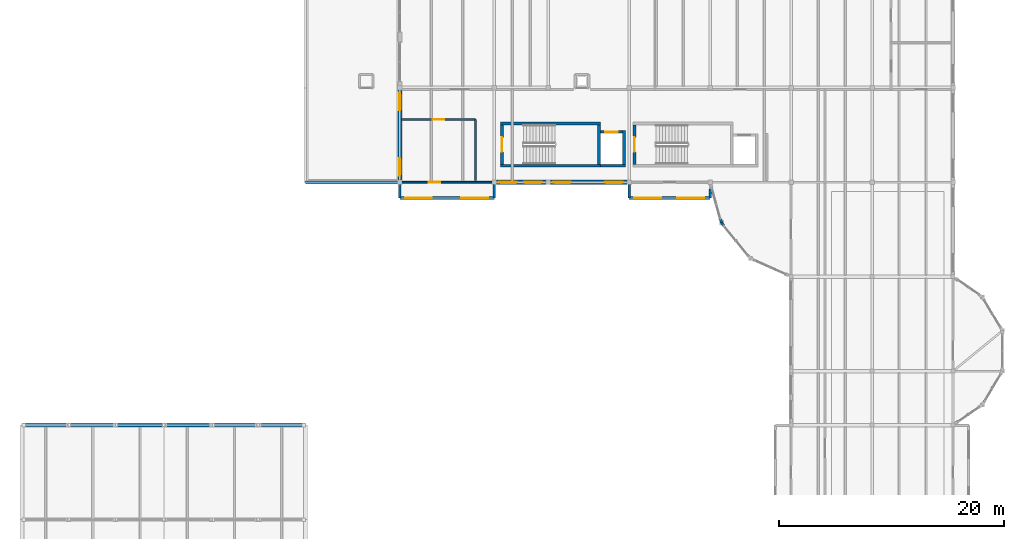
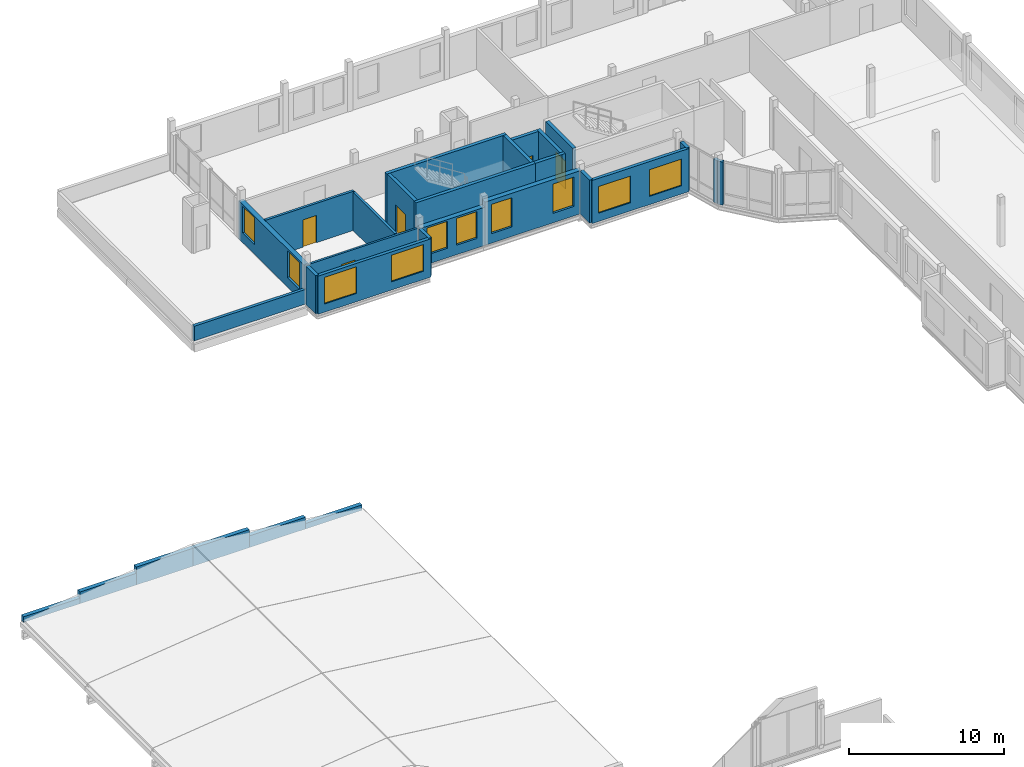
# One storey, part 27 of 34: 29 walls, 10 windows, 5 doors, 15 openings.
"""IFC4 building model written with IfcOpenShell, lengths in metres."""

from ifc_helpers import new_model, si_unit, direction, frame, frame_2d, origin, place, context, subcontext, project, spatial, rectangle, extrude, material, layer, layer_set, type_object, element, fill, save


model = new_model("IFC4")

# Units and contexts
model_context = context("Model", 3, precision=1e-05, world=origin(), true_north=direction((0.0, 1.0)))
body_context = subcontext(model_context, "Body", "Model", "MODEL_VIEW")
ifc_project = project(units=[si_unit("LENGTHUNIT", "METRE"), si_unit("AREAUNIT", "SQUARE_METRE"), si_unit("VOLUMEUNIT", "CUBIC_METRE"), si_unit("PLANEANGLEUNIT", "RADIAN"), si_unit("MASSUNIT", "GRAM", prefix="KILO")], contexts=[model_context])

# Site, building, storey
site_placement = place(None, origin())
site = spatial("IfcSite", under=ifc_project, at=site_placement, CompositionType="ELEMENT")
building_placement = place(site_placement, origin())
building = spatial("IfcBuilding", under=site, at=building_placement, Name="Kahlenmark Community Centre", CompositionType="ELEMENT")
storey_placement = place(building_placement, frame((0.0, 0.0, 17.699951171875)))
storey = spatial("IfcBuildingStorey", under=building, at=storey_placement, Name="L04", CompositionType="ELEMENT", Elevation=17.699951171875)

# Wall, opening, door
ifc_material_1 = material(Name="Concrete C35/45", Category="concrete")
ifc_layer_1 = layer(ifc_material_1, 0.25)
ifc_layer_set_1 = layer_set([ifc_layer_1], Name="Concrete C35/45")
wall_type_1 = type_object("IfcWallType", Name="WT-CORE-250", PredefinedType="SHEAR", material=ifc_layer_set_1)
wall_1_placement = place(storey_placement, frame((46.675048828125, 102.699951171875, 0.0), z_axis=(0.0, 0.0, 1.0), x_axis=(0.0, -1.0, 0.0)))
wall_1 = element("IfcWall", 1, at=wall_1_placement, inside=storey, type_object=wall_type_1, Name="Core K4 shear wall WL-CORE-K4-L04-0134", PredefinedType="SHEAR", context=body_context, shape_type="SweptSolid", body=[
    extrude(rectangle(XDim=3.5, YDim=0.25, at=frame_2d((1.75, 0.0))), origin(), (0.0, 0.0, 1.0), 3.900146484375),
])
opening_1_placement = place(wall_1_placement, frame((1.10009765625, 0.0, -0.010009765625)))
opening_1 = element("IfcOpeningElement", 2, at=opening_1_placement, cuts=wall_1, Name="Opening FD-K4-L04", PredefinedType="OPENING", context=body_context, shape_type="SweptSolid", body=[
    extrude(rectangle(XDim=1.300048828125, YDim=2.159912109375, at=frame_2d((0.64990234375, 1.080078125))), frame((0.0, 0.135009765625, 0.0), z_axis=(0.0, -1.0, 0.0), x_axis=(1.0, 0.0, 0.0)), (0.0, 0.0, 1.0), 0.27001953125),
])
ifc_material_2 = material(Name="Fire-rated steel-framed timber door FD60S", Category="steel")
door_type_1 = type_object("IfcDoorType", Name="DT-FD-K4-L04", OperationType="NOTDEFINED", PredefinedType="DOOR", material=ifc_material_2)
door_1_placement = place(opening_1_placement, frame((1.300048828125, 0.0, 0.010009765625), z_axis=(0.0, 0.0, 1.0), x_axis=(-1.0, 0.0, 0.0)))
door_1 = element("IfcDoor", 3, at=door_1_placement, inside=storey, type_object=door_type_1, Name="Core K4 stair fire door L04", OperationType="SINGLE_SWING_LEFT", OverallHeight=2.14990234375, OverallWidth=1.300048828125, PredefinedType="DOOR", context=body_context, shape_type="SweptSolid", body=[
    extrude(rectangle(XDim=1.300048828125, YDim=2.14990234375, at=frame_2d((0.64990234375, 1.074951171875))), frame((0.0, 0.02490234375, 0.0), z_axis=(0.0, -1.0, 0.0), x_axis=(1.0, 0.0, 0.0)), (0.0, 0.0, 1.0), 0.050048828125),
])
fill(opening_1, door_1)

# Walls
for number, where, z_axis, x_axis, name in (
    (4, (46.550048828125, 99.074951171875, 0.0), (0.0, 0.0, 1.0), (1.0, 0.0, 0.0), "Core K4 shear wall WL-CORE-K4-L04-0135"),
    (5, (46.550048828125, 102.824951171875, 0.0), (0.0, 0.0, 1.0), (1.0, 0.0, 0.0), "Core K4 shear wall WL-CORE-K4-L04-0136"),
):
    element("IfcWall", number, at=place(storey_placement, frame(where, z_axis=z_axis, x_axis=x_axis)), inside=storey, type_object=wall_type_1, Name=name, PredefinedType="SHEAR", context=body_context, shape_type="SweptSolid", body=[
        extrude(rectangle(XDim=8.89990234375, YDim=0.25, at=frame_2d((4.449951171875, 0.0))), origin(), (0.0, 0.0, 1.0), 3.900146484375),
    ])
wall_2_placement = place(storey_placement, frame((55.324951171875, 99.199951171875, 0.0), z_axis=(0.0, 0.0, 1.0), x_axis=(0.0, 1.0, 0.0)))
element("IfcWall", 6, at=wall_2_placement, inside=storey, type_object=wall_type_1, Name="Core K4 shear wall WL-CORE-K4-L04-0137", PredefinedType="SHEAR", context=body_context, shape_type="SweptSolid", body=[
    extrude(rectangle(XDim=3.5, YDim=0.25, at=frame_2d((1.75, 0.0))), origin(), (0.0, 0.0, 1.0), 3.900146484375),
])
wall_3_placement = place(storey_placement, frame((55.449951171875, 99.074951171875, 0.0), z_axis=(0.0, 0.0, 1.0), x_axis=(1.0, 0.0, 0.0)))
element("IfcWall", 7, at=wall_3_placement, inside=storey, type_object=wall_type_1, Name="Core K4 shear wall WL-CORE-K4-L04-0138", PredefinedType="SHEAR", context=body_context, shape_type="SweptSolid", body=[
    extrude(rectangle(XDim=2.2099609375, YDim=0.25, at=frame_2d((1.10498046875, 0.0))), origin(), (0.0, 0.0, 1.0), 3.900146484375),
])
wall_4_placement = place(storey_placement, frame((57.534912109375, 98.949951171875, 0.0), z_axis=(0.0, 0.0, 1.0), x_axis=(0.0, 1.0, 0.0)))
element("IfcWall", 8, at=wall_4_placement, inside=storey, type_object=wall_type_1, Name="Core K4 shear wall WL-CORE-K4-L04-0139", PredefinedType="SHEAR", context=body_context, shape_type="SweptSolid", body=[
    extrude(rectangle(XDim=3.260009765625, YDim=0.25, at=frame_2d((1.6298828125, 0.0))), origin(), (0.0, 0.0, 1.0), 3.900146484375),
])

# Wall, opening, door
wall_5_placement = place(storey_placement, frame((55.449951171875, 102.0849609375, 0.0), z_axis=(0.0, 0.0, 1.0), x_axis=(1.0, 0.0, 0.0)))
wall_5 = element("IfcWall", 9, at=wall_5_placement, inside=storey, type_object=wall_type_1, Name="Core K4 shear wall WL-CORE-K4-L04-0140", PredefinedType="SHEAR", context=body_context, shape_type="SweptSolid", body=[
    extrude(rectangle(XDim=1.9599609375, YDim=0.25, at=frame_2d((0.97998046875, 0.0))), origin(), (0.0, 0.0, 1.0), 3.900146484375),
])
opening_2_placement = place(wall_5_placement, frame((0.429931640625, 0.0, -0.010009765625)))
opening_2 = element("IfcOpeningElement", 10, at=opening_2_placement, cuts=wall_5, Name="Opening LD-4", PredefinedType="OPENING", context=body_context, shape_type="SweptSolid", body=[
    extrude(rectangle(XDim=1.10009765625, YDim=2.159912109375, at=frame_2d((0.550048828125, 1.080078125))), frame((0.0, 0.135009765625, 0.0), z_axis=(0.0, -1.0, 0.0), x_axis=(1.0, 0.0, 0.0)), (0.0, 0.0, 1.0), 0.27001953125),
])
ifc_material_3 = material(Name="Brushed stainless steel sliding lift landing door", Category="steel")
door_type_2 = type_object("IfcDoorType", Name="DT-LD-K4", OperationType="SLIDING_TO_LEFT", PredefinedType="DOOR", material=ifc_material_3)
door_2_placement = place(opening_2_placement, frame((0.0, 0.0, 0.010009765625)))
door_2 = element("IfcDoor", 11, at=door_2_placement, inside=storey, type_object=door_type_2, Name="Lift LF-04 sliding landing door L04", OperationType="SLIDING_TO_LEFT", OverallHeight=2.14990234375, OverallWidth=1.10009765625, PredefinedType="DOOR", context=body_context, shape_type="SweptSolid", body=[
    extrude(rectangle(XDim=1.10009765625, YDim=2.14990234375, at=frame_2d((0.550048828125, 1.074951171875))), frame((0.0, 0.02490234375, 0.0), z_axis=(0.0, -1.0, 0.0), x_axis=(1.0, 0.0, 0.0)), (0.0, 0.0, 1.0), 0.050048828125),
])
fill(opening_2, door_2)

wall_6_placement = place(storey_placement, frame((58.47509765625, 102.699951171875, 0.0), z_axis=(0.0, 0.0, 1.0), x_axis=(0.0, -1.0, 0.0)))
wall_6 = element("IfcWall", 12, at=wall_6_placement, inside=storey, type_object=wall_type_1, Name="Core K5 shear wall WL-CORE-K5-L04-0183", PredefinedType="SHEAR", context=body_context, shape_type="SweptSolid", body=[
    extrude(rectangle(XDim=3.5, YDim=0.25, at=frame_2d((1.75, 0.0))), origin(), (0.0, 0.0, 1.0), 3.900146484375),
])
opening_3_placement = place(wall_6_placement, frame((1.10009765625, 0.0, -0.010009765625)))
opening_3 = element("IfcOpeningElement", 13, at=opening_3_placement, cuts=wall_6, Name="Opening FD-K5-L04", PredefinedType="OPENING", context=body_context, shape_type="SweptSolid", body=[
    extrude(rectangle(XDim=1.300048828125, YDim=2.159912109375, at=frame_2d((0.64990234375, 1.080078125))), frame((0.0, 0.135009765625, 0.0), z_axis=(0.0, -1.0, 0.0), x_axis=(1.0, 0.0, 0.0)), (0.0, 0.0, 1.0), 0.27001953125),
])
door_type_3 = type_object("IfcDoorType", Name="DT-FD-K5-L04", OperationType="NOTDEFINED", PredefinedType="DOOR", material=ifc_material_2)
door_3_placement = place(opening_3_placement, frame((0.0, 0.0, 0.010009765625)))
door_3 = element("IfcDoor", 14, at=door_3_placement, inside=storey, type_object=door_type_3, Name="Core K5 stair fire door L04", OperationType="SINGLE_SWING_RIGHT", OverallHeight=2.14990234375, OverallWidth=1.300048828125, PredefinedType="DOOR", context=body_context, shape_type="SweptSolid", body=[
    extrude(rectangle(XDim=1.300048828125, YDim=2.14990234375, at=frame_2d((0.64990234375, 1.074951171875))), frame((0.0, 0.02490234375, 0.0), z_axis=(0.0, -1.0, 0.0), x_axis=(1.0, 0.0, 0.0)), (0.0, 0.0, 1.0), 0.050048828125),
])
fill(opening_3, door_3)

# Walls
ifc_material_4 = material(Name="Cross-laminated timber CLT C24", Category="wood")
ifc_layer_2 = layer(ifc_material_4, 0.239990234375)
ifc_layer_set_2 = layer_set([ifc_layer_2], Name="Cross-laminated timber CLT C24")
wall_type_2 = type_object("IfcWallType", Name="WT-EW-240", PredefinedType="SOLIDWALL", material=ifc_layer_set_2)
for number, where, z_axis, x_axis, name in (
    (15, (66.10888671875, 94.32763671875, 0.0), (0.0, 0.0, 1.0), (0.267791974516, -0.963476755498, 0.0), "Rotunda pier closure 0793"),
    (16, (66.199951171875, 94.0, 0.0), (0.0, 0.0, 1.0), (0.630457451131, -0.776223809422, 0.0), "Rotunda pier closure 0794"),
):
    element("IfcWall", number, at=place(storey_placement, frame(where, z_axis=z_axis, x_axis=x_axis)), inside=storey, type_object=wall_type_2, Name=name, PredefinedType="SOLIDWALL", context=body_context, shape_type="SweptSolid", body=[
        extrude(rectangle(XDim=0.340087890625, YDim=0.239990234375, at=frame_2d((0.169921875, 0.0))), origin(), (0.0, 0.0, 1.0), 3.39013671875),
    ])
wall_7_placement = place(storey_placement, frame((37.60009765625, 97.449951171875, 0.0), z_axis=(0.0, 0.0, 1.0), x_axis=(0.0, -1.0, 0.0)))
element("IfcWall", 17, at=wall_7_placement, inside=storey, type_object=wall_type_2, Name="Bay oriel wall WL-ORI-L04-0829", PredefinedType="SOLIDWALL", context=body_context, shape_type="SweptSolid", body=[
    extrude(rectangle(XDim=1.25, YDim=0.239990234375, at=frame_2d((0.625, 0.0))), origin(), (0.0, 0.0, 1.0), 3.010009765625),
])

# Wall, openings, windows
wall_8_placement = place(storey_placement, frame((37.60009765625, 96.199951171875, 0.0), z_axis=(0.0, 0.0, 1.0), x_axis=(1.0, 0.0, 0.0)))
wall_8 = element("IfcWall", 18, at=wall_8_placement, inside=storey, type_object=wall_type_2, Name="Bay oriel wall WL-ORI-L04-0830", PredefinedType="SOLIDWALL", context=body_context, shape_type="SweptSolid", body=[
    extrude(rectangle(XDim=8.39990234375, YDim=0.239990234375, at=frame_2d((4.199951171875, 0.0))), origin(), (0.0, 0.0, 1.0), 3.010009765625),
])
opening_4_placement = place(wall_8_placement, frame((0.4599609375, 0.0, 0.64990234375)))
opening_4 = element("IfcOpeningElement", 19, at=opening_4_placement, cuts=wall_8, Name="Opening W-240X210", PredefinedType="OPENING", context=body_context, shape_type="SweptSolid", body=[
    extrude(rectangle(XDim=2.39990234375, YDim=2.10009765625, at=frame_2d((1.199951171875, 1.050048828125))), frame((0.0, 0.1298828125, 0.0), z_axis=(0.0, -1.0, 0.0), x_axis=(1.0, 0.0, 0.0)), (0.0, 0.0, 1.0), 0.260009765625),
])
opening_5_placement = place(wall_8_placement, frame((5.4599609375, 0.0, 0.64990234375)))
opening_5 = element("IfcOpeningElement", 20, at=opening_5_placement, cuts=wall_8, Name="Opening W-240X210", PredefinedType="OPENING", context=body_context, shape_type="SweptSolid", body=[
    extrude(rectangle(XDim=2.39990234375, YDim=2.10009765625, at=frame_2d((1.199951171875, 1.050048828125))), frame((0.0, 0.1298828125, 0.0), z_axis=(0.0, -1.0, 0.0), x_axis=(1.0, 0.0, 0.0)), (0.0, 0.0, 1.0), 0.260009765625),
])
ifc_material_5 = material(Name="Triple low-e insulated glazing in timber-aluminium frame", Category="wood")
window_type_1 = type_object("IfcWindowType", Name="WNT-240X210", PartitioningType="TRIPLE_PANEL_VERTICAL", PredefinedType="WINDOW", material=ifc_material_5)
window_1_placement = place(opening_4_placement, origin())
window_1 = element("IfcWindow", 21, at=window_1_placement, inside=storey, type_object=window_type_1, Name="Window W-240X210 #0517", OverallHeight=2.10009765625, OverallWidth=2.39990234375, PartitioningType="TRIPLE_PANEL_VERTICAL", PredefinedType="WINDOW", context=body_context, shape_type="SweptSolid", body=[
    extrude(rectangle(XDim=2.39990234375, YDim=2.10009765625, at=frame_2d((1.199951171875, 1.050048828125))), frame((0.0, 0.030029296875, 0.0), z_axis=(0.0, -1.0, 0.0), x_axis=(1.0, 0.0, 0.0)), (0.0, 0.0, 1.0), 0.06005859375),
])
fill(opening_4, window_1)
window_2_placement = place(opening_5_placement, origin())
window_2 = element("IfcWindow", 22, at=window_2_placement, inside=storey, type_object=window_type_1, Name="Window W-240X210 #0518", OverallHeight=2.10009765625, OverallWidth=2.39990234375, PartitioningType="TRIPLE_PANEL_VERTICAL", PredefinedType="WINDOW", context=body_context, shape_type="SweptSolid", body=[
    extrude(rectangle(XDim=2.39990234375, YDim=2.10009765625, at=frame_2d((1.199951171875, 1.050048828125))), frame((0.0, 0.030029296875, 0.0), z_axis=(0.0, -1.0, 0.0), x_axis=(1.0, 0.0, 0.0)), (0.0, 0.0, 1.0), 0.06005859375),
])
fill(opening_5, window_2)

# Walls
wall_9_placement = place(storey_placement, frame((46.0, 96.199951171875, 0.0), z_axis=(0.0, 0.0, 1.0), x_axis=(0.0, 1.0, 0.0)))
element("IfcWall", 23, at=wall_9_placement, inside=storey, type_object=wall_type_2, Name="Bay oriel wall WL-ORI-L04-0831", PredefinedType="SOLIDWALL", context=body_context, shape_type="SweptSolid", body=[
    extrude(rectangle(XDim=1.25, YDim=0.239990234375, at=frame_2d((0.625, 0.0))), origin(), (0.0, 0.0, 1.0), 3.010009765625),
])
wall_10_placement = place(storey_placement, frame((58.0, 97.449951171875, 0.0), z_axis=(0.0, 0.0, 1.0), x_axis=(0.0, -1.0, 0.0)))
element("IfcWall", 24, at=wall_10_placement, inside=storey, type_object=wall_type_2, Name="Bay oriel wall WL-ORI-L04-0841", PredefinedType="SOLIDWALL", context=body_context, shape_type="SweptSolid", body=[
    extrude(rectangle(XDim=1.25, YDim=0.239990234375, at=frame_2d((0.625, 0.0))), origin(), (0.0, 0.0, 1.0), 3.39013671875),
])

# Wall, openings, windows
wall_11_placement = place(storey_placement, frame((58.0, 96.199951171875, 0.0), z_axis=(0.0, 0.0, 1.0), x_axis=(1.0, 0.0, 0.0)))
wall_11 = element("IfcWall", 25, at=wall_11_placement, inside=storey, type_object=wall_type_2, Name="Bay oriel wall WL-ORI-L04-0842", PredefinedType="SOLIDWALL", context=body_context, shape_type="SweptSolid", body=[
    extrude(rectangle(XDim=7.199951171875, YDim=0.239990234375, at=frame_2d((3.60009765625, 0.0))), origin(), (0.0, 0.0, 1.0), 3.39013671875),
])
opening_6_placement = place(wall_11_placement, frame((0.4599609375, 0.0, 0.64990234375)))
opening_6 = element("IfcOpeningElement", 26, at=opening_6_placement, cuts=wall_11, Name="Opening W-240X210", PredefinedType="OPENING", context=body_context, shape_type="SweptSolid", body=[
    extrude(rectangle(XDim=2.39990234375, YDim=2.10009765625, at=frame_2d((1.199951171875, 1.050048828125))), frame((0.0, 0.1298828125, 0.0), z_axis=(0.0, -1.0, 0.0), x_axis=(1.0, 0.0, 0.0)), (0.0, 0.0, 1.0), 0.260009765625),
])
opening_7_placement = place(wall_11_placement, frame((4.260009765625, 0.0, 0.64990234375)))
opening_7 = element("IfcOpeningElement", 27, at=opening_7_placement, cuts=wall_11, Name="Opening W-240X210", PredefinedType="OPENING", context=body_context, shape_type="SweptSolid", body=[
    extrude(rectangle(XDim=2.39990234375, YDim=2.10009765625, at=frame_2d((1.199951171875, 1.050048828125))), frame((0.0, 0.1298828125, 0.0), z_axis=(0.0, -1.0, 0.0), x_axis=(1.0, 0.0, 0.0)), (0.0, 0.0, 1.0), 0.260009765625),
])
window_3_placement = place(opening_6_placement, origin())
window_3 = element("IfcWindow", 28, at=window_3_placement, inside=storey, type_object=window_type_1, Name="Window W-240X210 #0525", OverallHeight=2.10009765625, OverallWidth=2.39990234375, PartitioningType="TRIPLE_PANEL_VERTICAL", PredefinedType="WINDOW", context=body_context, shape_type="SweptSolid", body=[
    extrude(rectangle(XDim=2.39990234375, YDim=2.10009765625, at=frame_2d((1.199951171875, 1.050048828125))), frame((0.0, 0.030029296875, 0.0), z_axis=(0.0, -1.0, 0.0), x_axis=(1.0, 0.0, 0.0)), (0.0, 0.0, 1.0), 0.06005859375),
])
fill(opening_6, window_3)
window_4_placement = place(opening_7_placement, origin())
window_4 = element("IfcWindow", 29, at=window_4_placement, inside=storey, type_object=window_type_1, Name="Window W-240X210 #0526", OverallHeight=2.10009765625, OverallWidth=2.39990234375, PartitioningType="TRIPLE_PANEL_VERTICAL", PredefinedType="WINDOW", context=body_context, shape_type="SweptSolid", body=[
    extrude(rectangle(XDim=2.39990234375, YDim=2.10009765625, at=frame_2d((1.199951171875, 1.050048828125))), frame((0.0, 0.030029296875, 0.0), z_axis=(0.0, -1.0, 0.0), x_axis=(1.0, 0.0, 0.0)), (0.0, 0.0, 1.0), 0.06005859375),
])
fill(opening_7, window_4)

# Walls
wall_12_placement = place(storey_placement, frame((65.199951171875, 96.199951171875, 0.0), z_axis=(0.0, 0.0, 1.0), x_axis=(0.0, 1.0, 0.0)))
element("IfcWall", 30, at=wall_12_placement, inside=storey, type_object=wall_type_2, Name="Bay oriel wall WL-ORI-L04-0843", PredefinedType="SOLIDWALL", context=body_context, shape_type="SweptSolid", body=[
    extrude(rectangle(XDim=0.820068359375, YDim=0.239990234375, at=frame_2d((0.41015625, 0.0))), origin(), (0.0, 0.0, 1.0), 3.39013671875),
])
ifc_layer_3 = layer(ifc_material_4, 0.300048828125)
ifc_layer_set_3 = layer_set([ifc_layer_3], Name="Cross-laminated timber CLT C24")
wall_type_3 = type_object("IfcWallType", Name="WT-EW-300", PredefinedType="SOLIDWALL", material=ifc_layer_set_3)
wall_13_placement = place(storey_placement, frame((4.0, 76.0, -0.199951171875), z_axis=(0.0, 0.0, 1.0), x_axis=(1.0, 0.0, 0.0)))
element("IfcWall", 31, at=wall_13_placement, inside=storey, type_object=wall_type_3, Name="Sports Hall gable wall WL-SP-GAB-0922", PredefinedType="SOLIDWALL", context=body_context, shape_type="SweptSolid", body=[
    extrude(rectangle(XDim=4.199951171875, YDim=0.300048828125, at=frame_2d((2.10009765625, 0.0))), origin(), (0.0, 0.0, 1.0), 0.4267578125),
])
wall_14_placement = place(storey_placement, frame((8.199951171875, 76.0, -0.199951171875), z_axis=(0.0, 0.0, 1.0), x_axis=(1.0, 0.0, 0.0)))
element("IfcWall", 32, at=wall_14_placement, inside=storey, type_object=wall_type_3, Name="Sports Hall gable wall WL-SP-GAB-0923", PredefinedType="SOLIDWALL", context=body_context, shape_type="SweptSolid", body=[
    extrude(rectangle(XDim=4.199951171875, YDim=0.300048828125, at=frame_2d((2.10009765625, 0.0))), origin(), (0.0, 0.0, 1.0), 0.919921875),
])
wall_15_placement = place(storey_placement, frame((12.39990234375, 76.0, -0.199951171875), z_axis=(0.0, 0.0, 1.0), x_axis=(1.0, 0.0, 0.0)))
element("IfcWall", 33, at=wall_15_placement, inside=storey, type_object=wall_type_3, Name="Sports Hall gable wall WL-SP-GAB-0924", PredefinedType="SOLIDWALL", context=body_context, shape_type="SweptSolid", body=[
    extrude(rectangle(XDim=4.2001953125, YDim=0.300048828125, at=frame_2d((2.10009765625, 0.0))), origin(), (0.0, 0.0, 1.0), 1.413330078125),
])
wall_16_placement = place(storey_placement, frame((16.60009765625, 76.0, -0.199951171875), z_axis=(0.0, 0.0, 1.0), x_axis=(1.0, 0.0, 0.0)))
element("IfcWall", 34, at=wall_16_placement, inside=storey, type_object=wall_type_3, Name="Sports Hall gable wall WL-SP-GAB-0925", PredefinedType="SOLIDWALL", context=body_context, shape_type="SweptSolid", body=[
    extrude(rectangle(XDim=4.199951171875, YDim=0.300048828125, at=frame_2d((2.10009765625, 0.0))), origin(), (0.0, 0.0, 1.0), 1.413330078125),
])
wall_17_placement = place(storey_placement, frame((20.800048828125, 76.0, -0.199951171875), z_axis=(0.0, 0.0, 1.0), x_axis=(1.0, 0.0, 0.0)))
element("IfcWall", 35, at=wall_17_placement, inside=storey, type_object=wall_type_3, Name="Sports Hall gable wall WL-SP-GAB-0926", PredefinedType="SOLIDWALL", context=body_context, shape_type="SweptSolid", body=[
    extrude(rectangle(XDim=4.199951171875, YDim=0.300048828125, at=frame_2d((2.10009765625, 0.0))), origin(), (0.0, 0.0, 1.0), 0.919921875),
])
wall_18_placement = place(storey_placement, frame((25.0, 76.0, -0.199951171875), z_axis=(0.0, 0.0, 1.0), x_axis=(1.0, 0.0, 0.0)))
element("IfcWall", 36, at=wall_18_placement, inside=storey, type_object=wall_type_3, Name="Sports Hall gable wall WL-SP-GAB-0927", PredefinedType="SOLIDWALL", context=body_context, shape_type="SweptSolid", body=[
    extrude(rectangle(XDim=4.199951171875, YDim=0.300048828125, at=frame_2d((2.10009765625, 0.0))), origin(), (0.0, 0.0, 1.0), 0.4267578125),
])

# Wall, openings, windows
ifc_material_6 = material(Name="Danube limestone masonry", Category="masonry")
ifc_layer_4 = layer(ifc_material_6, 0.360107421875)
ifc_layer_set_4 = layer_set([ifc_layer_4], Name="Danube limestone masonry")
wall_type_4 = type_object("IfcWallType", Name="WT-EW-360", PredefinedType="SOLIDWALL", material=ifc_layer_set_4)
wall_19_placement = place(storey_placement, frame((46.0, 97.60009765625, 0.0), z_axis=(0.0, 0.0, 1.0), x_axis=(1.0, 0.0, 0.0)))
wall_19 = element("IfcWall", 37, at=wall_19_placement, inside=storey, type_object=wall_type_4, Name="Exterior wall WL-EXT-L04-0639", PredefinedType="SOLIDWALL", context=body_context, shape_type="SweptSolid", body=[
    extrude(rectangle(XDim=4.800048828125, YDim=0.360107421875, at=frame_2d((2.39990234375, 0.0))), origin(), (0.0, 0.0, 1.0), 3.010009765625),
])
opening_8_placement = place(wall_19_placement, frame((0.4599609375, 0.0, 0.75)))
opening_8 = element("IfcOpeningElement", 38, at=opening_8_placement, cuts=wall_19, Name="Opening W-155X212", PredefinedType="OPENING", context=body_context, shape_type="SweptSolid", body=[
    extrude(rectangle(XDim=1.550048828125, YDim=2.1201171875, at=frame_2d((0.77490234375, 1.06005859375))), frame((0.0, 0.18994140625, 0.0), z_axis=(0.0, -1.0, 0.0), x_axis=(1.0, 0.0, 0.0)), (0.0, 0.0, 1.0), 0.380126953125),
])
opening_9_placement = place(wall_19_placement, frame((2.659912109375, 0.0, 0.75)))
opening_9 = element("IfcOpeningElement", 39, at=opening_9_placement, cuts=wall_19, Name="Opening W-155X212", PredefinedType="OPENING", context=body_context, shape_type="SweptSolid", body=[
    extrude(rectangle(XDim=1.550048828125, YDim=2.1201171875, at=frame_2d((0.77490234375, 1.06005859375))), frame((0.0, 0.18994140625, 0.0), z_axis=(0.0, -1.0, 0.0), x_axis=(1.0, 0.0, 0.0)), (0.0, 0.0, 1.0), 0.380126953125),
])
ifc_material_7 = material(Name="Deep-reveal limestone punched triple glazing", Category="masonry")
window_type_2 = type_object("IfcWindowType", Name="WNT-155X212", PartitioningType="DOUBLE_PANEL_HORIZONTAL", PredefinedType="WINDOW", material=ifc_material_7)
window_5_placement = place(opening_8_placement, origin())
window_5 = element("IfcWindow", 40, at=window_5_placement, inside=storey, type_object=window_type_2, Name="Window W-155X212 #0409", OverallHeight=2.1201171875, OverallWidth=1.550048828125, PartitioningType="DOUBLE_PANEL_HORIZONTAL", PredefinedType="WINDOW", context=body_context, shape_type="SweptSolid", body=[
    extrude(rectangle(XDim=1.550048828125, YDim=2.1201171875, at=frame_2d((0.77490234375, 1.06005859375))), frame((0.0, 0.030029296875, 0.0), z_axis=(0.0, -1.0, 0.0), x_axis=(1.0, 0.0, 0.0)), (0.0, 0.0, 1.0), 0.06005859375),
])
fill(opening_8, window_5)
window_6_placement = place(opening_9_placement, origin())
window_6 = element("IfcWindow", 41, at=window_6_placement, inside=storey, type_object=window_type_2, Name="Window W-155X212 #0410", OverallHeight=2.1201171875, OverallWidth=1.550048828125, PartitioningType="DOUBLE_PANEL_HORIZONTAL", PredefinedType="WINDOW", context=body_context, shape_type="SweptSolid", body=[
    extrude(rectangle(XDim=1.550048828125, YDim=2.1201171875, at=frame_2d((0.77490234375, 1.06005859375))), frame((0.0, 0.030029296875, 0.0), z_axis=(0.0, -1.0, 0.0), x_axis=(1.0, 0.0, 0.0)), (0.0, 0.0, 1.0), 0.06005859375),
])
fill(opening_9, window_6)

wall_20_placement = place(storey_placement, frame((50.800048828125, 97.60009765625, 0.0), z_axis=(0.0, 0.0, 1.0), x_axis=(1.0, 0.0, 0.0)))
wall_20 = element("IfcWall", 42, at=wall_20_placement, inside=storey, type_object=wall_type_4, Name="Exterior wall WL-EXT-L04-0640", PredefinedType="SOLIDWALL", context=body_context, shape_type="SweptSolid", body=[
    extrude(rectangle(XDim=7.199951171875, YDim=0.360107421875, at=frame_2d((3.60009765625, 0.0))), origin(), (0.0, 0.0, 1.0), 3.400146484375),
])
opening_10_placement = place(wall_20_placement, frame((0.4599609375, 0.0, 0.75)))
opening_10 = element("IfcOpeningElement", 43, at=opening_10_placement, cuts=wall_20, Name="Opening W-155X230", PredefinedType="OPENING", context=body_context, shape_type="SweptSolid", body=[
    extrude(rectangle(XDim=1.550048828125, YDim=2.300048828125, at=frame_2d((0.77490234375, 1.14990234375))), frame((0.0, 0.18994140625, 0.0), z_axis=(0.0, -1.0, 0.0), x_axis=(1.0, 0.0, 0.0)), (0.0, 0.0, 1.0), 0.380126953125),
])
opening_11_placement = place(wall_20_placement, frame((5.06005859375, 0.0, 0.75)))
opening_11 = element("IfcOpeningElement", 44, at=opening_11_placement, cuts=wall_20, Name="Opening W-155X230", PredefinedType="OPENING", context=body_context, shape_type="SweptSolid", body=[
    extrude(rectangle(XDim=1.550048828125, YDim=2.300048828125, at=frame_2d((0.77490234375, 1.14990234375))), frame((0.0, 0.18994140625, 0.0), z_axis=(0.0, -1.0, 0.0), x_axis=(1.0, 0.0, 0.0)), (0.0, 0.0, 1.0), 0.380126953125),
])
window_type_3 = type_object("IfcWindowType", Name="WNT-155X230", PartitioningType="DOUBLE_PANEL_HORIZONTAL", PredefinedType="WINDOW", material=ifc_material_7)
window_7_placement = place(opening_10_placement, origin())
window_7 = element("IfcWindow", 45, at=window_7_placement, inside=storey, type_object=window_type_3, Name="Window W-155X230 #0411", OverallHeight=2.300048828125, OverallWidth=1.550048828125, PartitioningType="DOUBLE_PANEL_HORIZONTAL", PredefinedType="WINDOW", context=body_context, shape_type="SweptSolid", body=[
    extrude(rectangle(XDim=1.550048828125, YDim=2.300048828125, at=frame_2d((0.77490234375, 1.14990234375))), frame((0.0, 0.030029296875, 0.0), z_axis=(0.0, -1.0, 0.0), x_axis=(1.0, 0.0, 0.0)), (0.0, 0.0, 1.0), 0.06005859375),
])
fill(opening_10, window_7)
window_8_placement = place(opening_11_placement, origin())
window_8 = element("IfcWindow", 46, at=window_8_placement, inside=storey, type_object=window_type_3, Name="Window W-155X230 #0412", OverallHeight=2.300048828125, OverallWidth=1.550048828125, PartitioningType="DOUBLE_PANEL_HORIZONTAL", PredefinedType="WINDOW", context=body_context, shape_type="SweptSolid", body=[
    extrude(rectangle(XDim=1.550048828125, YDim=2.300048828125, at=frame_2d((0.77490234375, 1.14990234375))), frame((0.0, 0.030029296875, 0.0), z_axis=(0.0, -1.0, 0.0), x_axis=(1.0, 0.0, 0.0)), (0.0, 0.0, 1.0), 0.06005859375),
])
fill(opening_11, window_8)

wall_21_placement = place(storey_placement, frame((37.60009765625, 106.0, 0.0), z_axis=(0.0, 0.0, 1.0), x_axis=(0.0, -1.0, 0.0)))
wall_21 = element("IfcWall", 47, at=wall_21_placement, inside=storey, type_object=wall_type_4, Name="Exterior wall WL-EXT-L04-0650", PredefinedType="SOLIDWALL", context=body_context, shape_type="SweptSolid", body=[
    extrude(rectangle(XDim=8.39990234375, YDim=0.360107421875, at=frame_2d((4.199951171875, 0.0))), origin(), (0.0, 0.0, 1.0), 3.010009765625),
])
opening_12_placement = place(wall_21_placement, frame((0.4599609375, 0.0, 0.75)))
opening_12 = element("IfcOpeningElement", 48, at=opening_12_placement, cuts=wall_21, Name="Opening W-155X212", PredefinedType="OPENING", context=body_context, shape_type="SweptSolid", body=[
    extrude(rectangle(XDim=1.550048828125, YDim=2.1201171875, at=frame_2d((0.77490234375, 1.06005859375))), frame((0.0, 0.18994140625, 0.0), z_axis=(0.0, -1.0, 0.0), x_axis=(1.0, 0.0, 0.0)), (0.0, 0.0, 1.0), 0.380126953125),
])
opening_13_placement = place(wall_21_placement, frame((6.260009765625, 0.0, 0.75)))
opening_13 = element("IfcOpeningElement", 49, at=opening_13_placement, cuts=wall_21, Name="Opening W-155X212", PredefinedType="OPENING", context=body_context, shape_type="SweptSolid", body=[
    extrude(rectangle(XDim=1.550048828125, YDim=2.1201171875, at=frame_2d((0.77490234375, 1.06005859375))), frame((0.0, 0.18994140625, 0.0), z_axis=(0.0, -1.0, 0.0), x_axis=(1.0, 0.0, 0.0)), (0.0, 0.0, 1.0), 0.380126953125),
])
window_9_placement = place(opening_12_placement, origin())
window_9 = element("IfcWindow", 50, at=window_9_placement, inside=storey, type_object=window_type_2, Name="Window W-155X212 #0425", OverallHeight=2.1201171875, OverallWidth=1.550048828125, PartitioningType="DOUBLE_PANEL_HORIZONTAL", PredefinedType="WINDOW", context=body_context, shape_type="SweptSolid", body=[
    extrude(rectangle(XDim=1.550048828125, YDim=2.1201171875, at=frame_2d((0.77490234375, 1.06005859375))), frame((0.0, 0.030029296875, 0.0), z_axis=(0.0, -1.0, 0.0), x_axis=(1.0, 0.0, 0.0)), (0.0, 0.0, 1.0), 0.06005859375),
])
fill(opening_12, window_9)
window_10_placement = place(opening_13_placement, origin())
window_10 = element("IfcWindow", 51, at=window_10_placement, inside=storey, type_object=window_type_2, Name="Window W-155X212 #0426", OverallHeight=2.1201171875, OverallWidth=1.550048828125, PartitioningType="DOUBLE_PANEL_HORIZONTAL", PredefinedType="WINDOW", context=body_context, shape_type="SweptSolid", body=[
    extrude(rectangle(XDim=1.550048828125, YDim=2.1201171875, at=frame_2d((0.77490234375, 1.06005859375))), frame((0.0, 0.030029296875, 0.0), z_axis=(0.0, -1.0, 0.0), x_axis=(1.0, 0.0, 0.0)), (0.0, 0.0, 1.0), 0.06005859375),
])
fill(opening_13, window_10)

# Wall
ifc_material_8 = material(Name="Concrete C30/37", Category="concrete")
ifc_layer_5 = layer(ifc_material_8, 0.219970703125)
ifc_layer_set_5 = layer_set([ifc_layer_5], Name="Concrete C30/37")
wall_type_5 = type_object("IfcWallType", Name="WT-PAR-220", PredefinedType="PARAPET", material=ifc_layer_set_5)
wall_22_placement = place(storey_placement, frame((29.199951171875, 97.60009765625, 0.0), z_axis=(0.0, 0.0, 1.0), x_axis=(1.0, 0.0, 0.0)))
element("IfcWall", 52, at=wall_22_placement, inside=storey, type_object=wall_type_5, Name="Roof parapet 1052", PredefinedType="PARAPET", context=body_context, shape_type="SweptSolid", body=[
    extrude(rectangle(XDim=8.400146484375, YDim=0.219970703125, at=frame_2d((4.2001953125, 0.0))), origin(), (0.0, 0.0, 1.0), 1.150146484375),
])

# Wall, opening, door
ifc_material_9 = material(Name="Gypsum plasterboard partition", Category="gypsum")
ifc_layer_6 = layer(ifc_material_9, 0.14990234375)
ifc_layer_set_6 = layer_set([ifc_layer_6], Name="Gypsum plasterboard partition")
wall_type_6 = type_object("IfcWallType", Name="WT-PW-150", PredefinedType="PARTITIONING", material=ifc_layer_set_6)
wall_23_placement = place(storey_placement, frame((37.60009765625, 97.60009765625, 0.0), z_axis=(0.0, 0.0, 1.0), x_axis=(1.0, 0.0, 0.0)))
wall_23 = element("IfcWall", 53, at=wall_23_placement, inside=storey, type_object=wall_type_6, Name="Interior partition WL-INT-L04-0257", PredefinedType="PARTITIONING", context=body_context, shape_type="SweptSolid", body=[
    extrude(rectangle(XDim=8.39990234375, YDim=0.14990234375, at=frame_2d((4.199951171875, 0.0))), origin(), (0.0, 0.0, 1.0), 3.010009765625),
])
opening_14_placement = place(wall_23_placement, frame((2.590087890625, 0.0, -0.010009765625)))
opening_14 = element("IfcOpeningElement", 54, at=opening_14_placement, cuts=wall_23, Name="Opening D-L04-148", PredefinedType="OPENING", context=body_context, shape_type="SweptSolid", body=[
    extrude(rectangle(XDim=1.0, YDim=2.159912109375, at=frame_2d((0.5, 1.080078125))), frame((0.0, 0.0849609375, 0.0), z_axis=(0.0, -1.0, 0.0), x_axis=(1.0, 0.0, 0.0)), (0.0, 0.0, 1.0), 0.169921875),
])
ifc_material_10 = material(Name="Oak timber veneer door leaf", Category="wood")
door_type_4 = type_object("IfcDoorType", Name="DT-INT-100X215", OperationType="NOTDEFINED", PredefinedType="DOOR", material=ifc_material_10)
door_4_placement = place(opening_14_placement, frame((0.0, 0.0, 0.010009765625)))
door_4 = element("IfcDoor", 55, at=door_4_placement, inside=storey, type_object=door_type_4, Name="Interior door D-L04-148", OperationType="SINGLE_SWING_LEFT", OverallHeight=2.14990234375, OverallWidth=1.0, PredefinedType="DOOR", context=body_context, shape_type="SweptSolid", body=[
    extrude(rectangle(XDim=1.0, YDim=2.14990234375, at=frame_2d((0.5, 1.074951171875))), frame((0.0, 0.02490234375, 0.0), z_axis=(0.0, -1.0, 0.0), x_axis=(1.0, 0.0, 0.0)), (0.0, 0.0, 1.0), 0.050048828125),
])
fill(opening_14, door_4)

ifc_layer_7 = layer(ifc_material_9, 0.179931640625)
ifc_layer_set_7 = layer_set([ifc_layer_7], Name="Gypsum plasterboard partition")
wall_type_7 = type_object("IfcWallType", Name="WT-PW-180", PredefinedType="PARTITIONING", material=ifc_layer_set_7)
wall_24_placement = place(storey_placement, frame((37.739990234375, 103.199951171875, 0.0), z_axis=(0.0, 0.0, 1.0), x_axis=(1.0, 0.0, 0.0)))
wall_24 = element("IfcWall", 56, at=wall_24_placement, inside=storey, type_object=wall_type_7, Name="Interior partition WL-INT-L04-0252", PredefinedType="PARTITIONING", context=body_context, shape_type="SweptSolid", body=[
    extrude(rectangle(XDim=6.610107421875, YDim=0.179931640625, at=frame_2d((3.30517578125, 0.0))), origin(), (0.0, 0.0, 1.0), 3.090087890625),
])
opening_15_placement = place(wall_24_placement, frame((2.804931640625, 0.0, -0.010009765625)))
opening_15 = element("IfcOpeningElement", 57, at=opening_15_placement, cuts=wall_24, Name="Opening D-L04-144", PredefinedType="OPENING", context=body_context, shape_type="SweptSolid", body=[
    extrude(rectangle(XDim=1.0, YDim=2.159912109375, at=frame_2d((0.5, 1.080078125))), frame((0.0, 0.099853515625, 0.0), z_axis=(0.0, -1.0, 0.0), x_axis=(1.0, 0.0, 0.0)), (0.0, 0.0, 1.0), 0.199951171875),
])
door_5_placement = place(opening_15_placement, frame((1.0, 0.0, 0.010009765625), z_axis=(0.0, 0.0, 1.0), x_axis=(-1.0, 0.0, 0.0)))
door_5 = element("IfcDoor", 58, at=door_5_placement, inside=storey, type_object=door_type_4, Name="Interior door D-L04-144", OperationType="SINGLE_SWING_LEFT", OverallHeight=2.14990234375, OverallWidth=1.0, PredefinedType="DOOR", context=body_context, shape_type="SweptSolid", body=[
    extrude(rectangle(XDim=1.0, YDim=2.14990234375, at=frame_2d((0.5, 1.074951171875))), frame((0.0, 0.02490234375, 0.0), z_axis=(0.0, -1.0, 0.0), x_axis=(1.0, 0.0, 0.0)), (0.0, 0.0, 1.0), 0.050048828125),
])
fill(opening_15, door_5)

# Wall
wall_25_placement = place(storey_placement, frame((44.35009765625, 97.739990234375, 0.0), z_axis=(0.0, 0.0, 1.0), x_axis=(0.0, 1.0, 0.0)))
element("IfcWall", 59, at=wall_25_placement, inside=storey, type_object=wall_type_7, Name="Interior partition WL-INT-L04-0253", PredefinedType="PARTITIONING", context=body_context, shape_type="SweptSolid", body=[
    extrude(rectangle(XDim=5.4599609375, YDim=0.179931640625, at=frame_2d((2.72998046875, 0.0))), origin(), (0.0, 0.0, 1.0), 3.010009765625),
])

save(model, "model.ifc")
